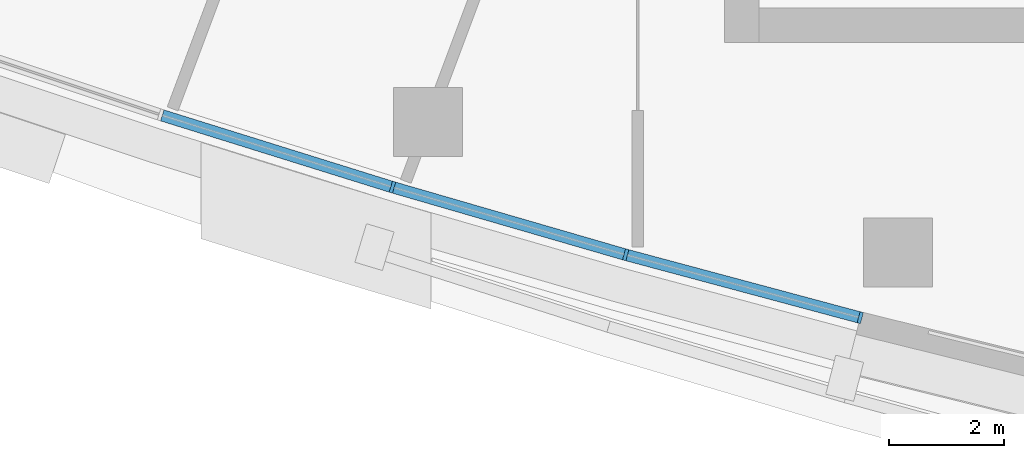
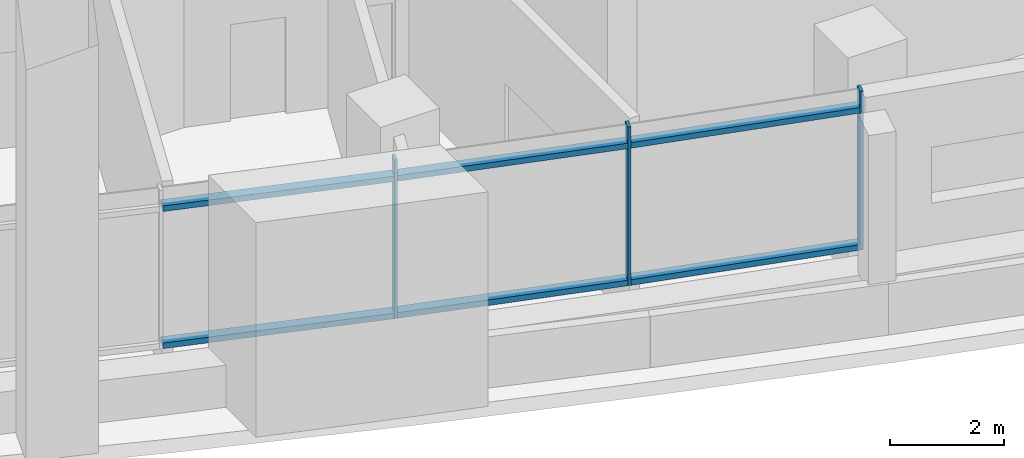
# One storey, part 3 of 15: 9 members, 2 elements without a shape of their own.
"""IFC4 building model written with IfcOpenShell, lengths in metres."""

from ifc_helpers import new_model, si_unit, direction, frame, origin, origin_2d, place, context, subcontext, project, spatial, rectangle, extrude, material, layer, layer_set, material_profile, profile_set, type_object, element, aggregate, save


model = new_model("IFC4")

# Units and contexts
model_context = context("Model", 3, precision=1e-05, world=origin(), true_north=direction((0.0, 1.0)))
body_context = subcontext(model_context, "Body", "Model", "MODEL_VIEW")
ifc_project = project(units=[si_unit("LENGTHUNIT", "METRE"), si_unit("AREAUNIT", "SQUARE_METRE"), si_unit("VOLUMEUNIT", "CUBIC_METRE"), si_unit("PLANEANGLEUNIT", "RADIAN"), si_unit("MASSUNIT", "GRAM", prefix="KILO")], contexts=[model_context])

# Site, building, storey
site_placement = place(None, origin())
site = spatial("IfcSite", under=ifc_project, at=site_placement, CompositionType="ELEMENT")
building_placement = place(site_placement, origin())
building = spatial("IfcBuilding", under=site, at=building_placement, Name="Ostrand Prow Hotel Tower", CompositionType="ELEMENT")
storey_placement = place(building_placement, frame((0.0, 0.0, 216.199951171875)))
storey = spatial("IfcBuildingStorey", under=building, at=storey_placement, Name="L54", CompositionType="ELEMENT", Elevation=216.199951171875)

# Curtain wall, member
ifc_material_1 = material(Name="Insulated glass in bronze anodised frame", Category="glass")
ifc_layer = layer(ifc_material_1, 0.199951171875)
ifc_layer_set = layer_set([ifc_layer], Name="Insulated glass in bronze anodised frame")
curtain_wall_type = type_object("IfcCurtainWallType", Name="Sky lobby full-height curtain wall", PredefinedType="NOTDEFINED", material=ifc_layer_set)
curtain_wall_1_placement = place(storey_placement, origin())
curtain_wall_1 = element("IfcCurtainWall", 1, at=curtain_wall_1_placement, inside=storey, type_object=curtain_wall_type, Name="CW3 run CWS4", PredefinedType="NOTDEFINED")
ifc_material_2 = material(Name="Bronze anodised aluminium", Category="aluminium")
ifc_material_profile_1 = material_profile(ifc_material_2, rectangle(XDim=0.199951171875, YDim=0.06005859375, at=origin_2d()), Name="Mullion 60x200 bronze anodised aluminium")
ifc_profile_set_1 = profile_set([ifc_material_profile_1], Name="Bronze anodised aluminium")
member_type_1 = type_object("IfcMemberType", Name="Mullion 60x200 bronze anodised aluminium", PredefinedType="MULLION", material=ifc_profile_set_1)
member_1_placement = place(storey_placement, frame((44.3291015625, -18.863037109375, 0.900146484375), z_axis=(0.0, 0.0, 1.0), x_axis=(0.297678138765, 0.95466629023, 0.0)))
member_1 = element("IfcMember", 2, at=member_1_placement, type_object=member_type_1, Name="CW3 mullion 3", PredefinedType="MULLION", context=body_context, shape_type="SweptSolid", body=[
    extrude(rectangle(XDim=0.199951171875, YDim=0.06005859375, at=origin_2d()), origin(), (0.0, 0.0, 1.0), 3.39990234375),
])

# Curtain wall, members
curtain_wall_2_placement = place(storey_placement, origin())
curtain_wall_2 = element("IfcCurtainWall", 3, at=curtain_wall_2_placement, inside=storey, type_object=curtain_wall_type, Name="CW3 run CWS5", PredefinedType="NOTDEFINED")
member_2_placement = place(storey_placement, frame((48.385986328125, -20.038818359375, 0.900146484375), z_axis=(0.0, 0.0, 1.0), x_axis=(0.258994370132, 0.965878831034, 0.0)))
member_2 = element("IfcMember", 4, at=member_2_placement, type_object=member_type_1, Name="CW3 mullion 2", PredefinedType="MULLION", context=body_context, shape_type="SweptSolid", body=[
    extrude(rectangle(XDim=0.199951171875, YDim=0.06005859375, at=origin_2d()), origin(), (0.0, 0.0, 1.0), 3.39990234375),
])
member_3_placement = place(storey_placement, frame((52.465576171875, -21.1328125, 0.900146484375), z_axis=(0.0, 0.0, 1.0), x_axis=(0.258994370132, 0.965878831034, 0.0)))
member_3 = element("IfcMember", 5, at=member_3_placement, type_object=member_type_1, Name="CW3 mullion 3", PredefinedType="MULLION", context=body_context, shape_type="SweptSolid", body=[
    extrude(rectangle(XDim=0.199951171875, YDim=0.06005859375, at=origin_2d()), origin(), (0.0, 0.0, 1.0), 3.39990234375),
])

# Member
ifc_material_3 = material(Name="Bronze anodised aluminium", Category="aluminium")
ifc_material_profile_2 = material_profile(ifc_material_3, rectangle(XDim=0.199951171875, YDim=0.1201171875, at=origin_2d()), Name="Transom 120x200 bronze anodised aluminium")
ifc_profile_set_2 = profile_set([ifc_material_profile_2], Name="Bronze anodised aluminium")
member_type_2 = type_object("IfcMemberType", Name="Transom 120x200 bronze anodised aluminium", PredefinedType="USERDEFINED", material=ifc_profile_set_2)
member_4_placement = place(storey_placement, frame((40.32568359375, -17.61474609375, 0.9599609375), z_axis=(0.954676966691, -0.297643896746, 0.0), x_axis=(0.297643896746, 0.954676966691, 0.0)))
member_4 = element("IfcMember", 6, at=member_4_placement, type_object=member_type_2, Name="CW3 transom 2.1", ObjectType="TRANSOM", PredefinedType="USERDEFINED", context=body_context, shape_type="SweptSolid", body=[
    extrude(rectangle(XDim=0.199951171875, YDim=0.1201171875, at=origin_2d()), origin(), (0.0, 0.0, 1.0), 4.16357421875),
])

member_5_placement = place(storey_placement, frame((40.32568359375, -17.61474609375, 3.900146484375), z_axis=(0.954676966691, -0.297643896746, 0.0), x_axis=(0.297643896746, 0.954676966691, 0.0)))
member_5 = element("IfcMember", 7, at=member_5_placement, type_object=member_type_2, Name="CW3 transom 2.2", ObjectType="TRANSOM", PredefinedType="USERDEFINED", context=body_context, shape_type="SweptSolid", body=[
    extrude(rectangle(XDim=0.199951171875, YDim=0.1201171875, at=origin_2d()), origin(), (0.0, 0.0, 1.0), 4.16357421875),
])

aggregate(curtain_wall_1, [member_1, member_4, member_5])

member_6_placement = place(storey_placement, frame((44.35791015625, -18.871337890625, 0.9599609375), z_axis=(0.960468183791, -0.278389776976, 0.0), x_axis=(0.278389776976, 0.960468183791, 0.0)))
member_6 = element("IfcMember", 8, at=member_6_placement, type_object=member_type_2, Name="CW3 transom 1.1", ObjectType="TRANSOM", PredefinedType="USERDEFINED", context=body_context, shape_type="SweptSolid", body=[
    extrude(rectangle(XDim=0.199951171875, YDim=0.1201171875, at=origin_2d()), origin(), (0.0, 0.0, 1.0), 4.163818359375),
])

member_7_placement = place(storey_placement, frame((44.35791015625, -18.871337890625, 3.900146484375), z_axis=(0.960468183791, -0.278389776976, 0.0), x_axis=(0.278389776976, 0.960468183791, 0.0)))
member_7 = element("IfcMember", 9, at=member_7_placement, type_object=member_type_2, Name="CW3 transom 1.2", ObjectType="TRANSOM", PredefinedType="USERDEFINED", context=body_context, shape_type="SweptSolid", body=[
    extrude(rectangle(XDim=0.199951171875, YDim=0.1201171875, at=origin_2d()), origin(), (0.0, 0.0, 1.0), 4.163818359375),
])

member_8_placement = place(storey_placement, frame((48.4150390625, -20.046630859375, 0.9599609375), z_axis=(0.96587683346, -0.259001819657, 0.0), x_axis=(0.259001819657, 0.96587683346, 0.0)))
member_8 = element("IfcMember", 10, at=member_8_placement, type_object=member_type_2, Name="CW3 transom 2.1", ObjectType="TRANSOM", PredefinedType="USERDEFINED", context=body_context, shape_type="SweptSolid", body=[
    extrude(rectangle(XDim=0.199951171875, YDim=0.1201171875, at=origin_2d()), origin(), (0.0, 0.0, 1.0), 4.16357421875),
])

member_9_placement = place(storey_placement, frame((48.4150390625, -20.046630859375, 3.900146484375), z_axis=(0.96587683346, -0.259001819657, 0.0), x_axis=(0.259001819657, 0.96587683346, 0.0)))
member_9 = element("IfcMember", 11, at=member_9_placement, type_object=member_type_2, Name="CW3 transom 2.2", ObjectType="TRANSOM", PredefinedType="USERDEFINED", context=body_context, shape_type="SweptSolid", body=[
    extrude(rectangle(XDim=0.199951171875, YDim=0.1201171875, at=origin_2d()), origin(), (0.0, 0.0, 1.0), 4.16357421875),
])

aggregate(curtain_wall_2, [member_2, member_3, member_6, member_7, member_8, member_9])

save(model, "model.ifc")
